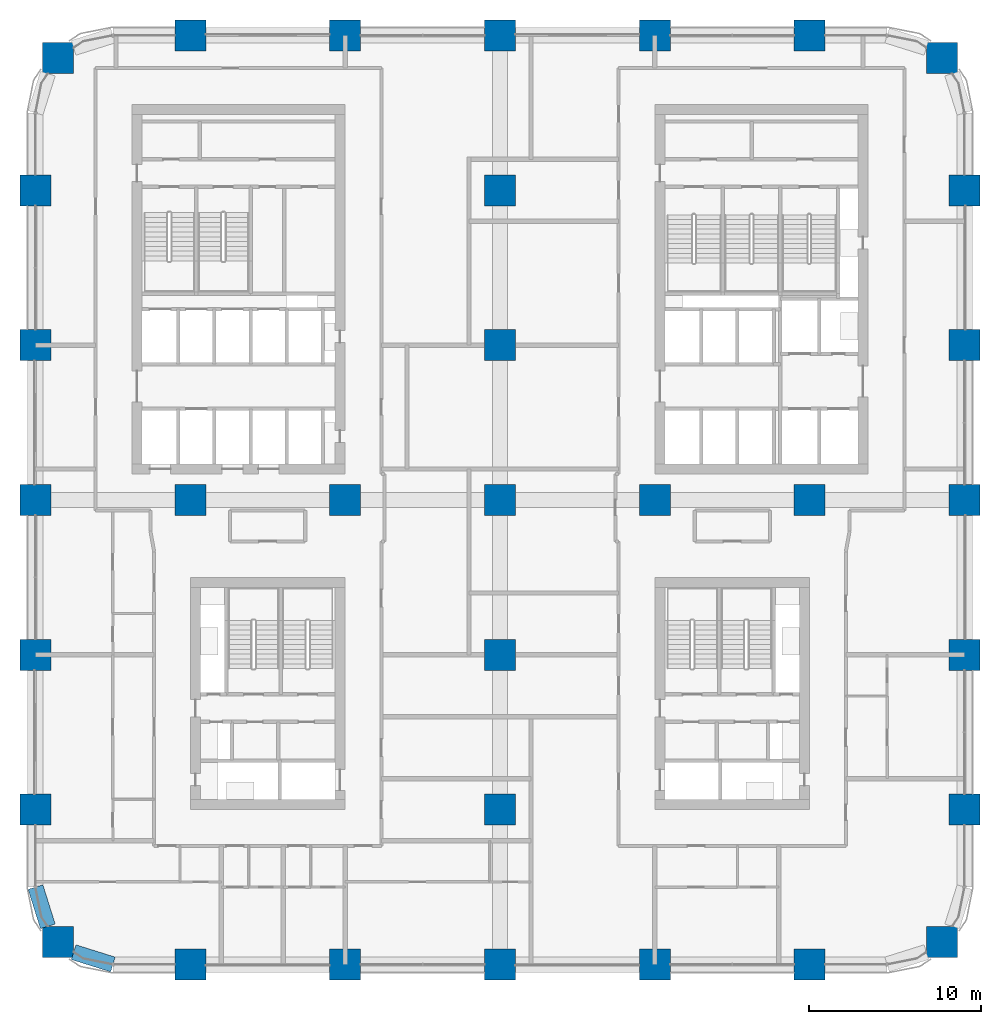
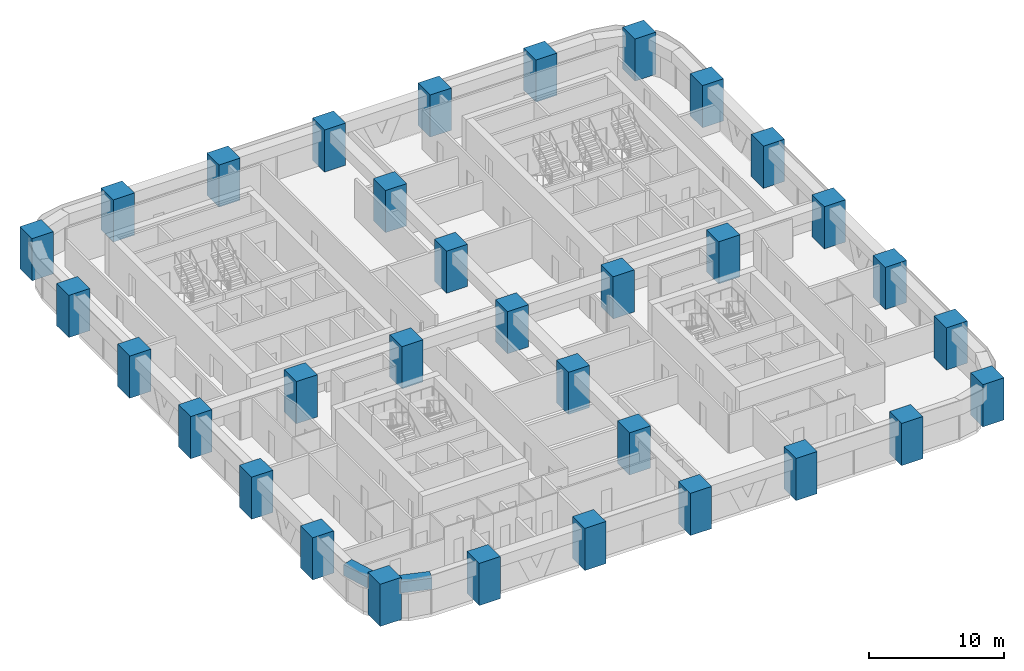
# One storey, part 1 of 21: 33 columns, 2 beams.
"""IFC4 building model written with IfcOpenShell, lengths in metres."""

from ifc_helpers import new_model, si_unit, direction, frame, origin, origin_2d, place, context, subcontext, project, spatial, rectangle, extrude, material, material_profile, profile_set, type_object, element, save


model = new_model("IFC4")

# Units and contexts
model_context = context("Model", 3, precision=1e-05, world=origin(), true_north=direction((0.0, 1.0)))
body_context = subcontext(model_context, "Body", "Model", "MODEL_VIEW")
ifc_project = project(units=[si_unit("LENGTHUNIT", "METRE"), si_unit("AREAUNIT", "SQUARE_METRE"), si_unit("VOLUMEUNIT", "CUBIC_METRE"), si_unit("PLANEANGLEUNIT", "RADIAN"), si_unit("MASSUNIT", "GRAM", prefix="KILO")], contexts=[model_context])

# Site, building, storey
site_placement = place(None, origin())
site = spatial("IfcSite", under=ifc_project, at=site_placement, CompositionType="ELEMENT")
building_placement = place(site_placement, origin())
building = spatial("IfcBuilding", under=site, at=building_placement, Name="Tessera Arch", CompositionType="ELEMENT")
storey_placement = place(building_placement, frame((0.0, 0.0, 69.0)))
storey = spatial("IfcBuildingStorey", under=building, at=storey_placement, Name="L15", CompositionType="ELEMENT", Elevation=69.0)

# Columns
ifc_material_1 = material(Name="Concrete C80/95", Category="concrete")
ifc_material_profile_1 = material_profile(ifc_material_1, rectangle(XDim=1.800048828125, YDim=1.800048828125, at=origin_2d()), Name="RC column 1800 x 1800 Concrete C80/95")
ifc_profile_set_1 = profile_set([ifc_material_profile_1], Name="Concrete C80/95")
column_type = type_object("IfcColumnType", Name="RC column 1800 x 1800 Concrete C80/95", PredefinedType="COLUMN", material=ifc_profile_set_1)
for number, where, z_axis, x_axis, name in (
    (1, (1.318115234375, 1.318115234375, 0.0), (0.0, 0.0, 1.0), (1.0, 0.0, 0.0), "Column C1A L15"),
    (2, (0.0, 9.0, 0.0), (0.0, 0.0, 1.0), (1.0, 0.0, 0.0), "Column C1B L15"),
    (3, (0.0, 18.0, 0.0), (0.0, 0.0, 1.0), (1.0, 0.0, 0.0), "Column C1C L15"),
    (4, (0.0, 27.0, 0.0), (0.0, 0.0, 1.0), (1.0, 0.0, 0.0), "Column C1D L15"),
    (5, (0.0, 36.0, 0.0), (0.0, 0.0, 1.0), (1.0, 0.0, 0.0), "Column C1E L15"),
    (6, (0.0, 45.0, 0.0), (0.0, 0.0, 1.0), (1.0, 0.0, 0.0), "Column C1F L15"),
    (7, (1.318115234375, 52.681884765625, 0.0), (0.0, 0.0, 1.0), (1.0, 0.0, 0.0), "Column C1G L15"),
    (8, (9.0, 0.0, 0.0), (0.0, 0.0, 1.0), (1.0, 0.0, 0.0), "Column C2A L15"),
    (9, (9.0, 27.0, 0.0), (0.0, 0.0, 1.0), (1.0, 0.0, 0.0), "Column C2D L15"),
    (10, (9.0, 54.0, 0.0), (0.0, 0.0, 1.0), (1.0, 0.0, 0.0), "Column C2G L15"),
    (11, (18.0, 0.0, 0.0), (0.0, 0.0, 1.0), (1.0, 0.0, 0.0), "Column C3A L15"),
    (12, (18.0, 27.0, 0.0), (0.0, 0.0, 1.0), (1.0, 0.0, 0.0), "Column C3D L15"),
    (13, (18.0, 54.0, 0.0), (0.0, 0.0, 1.0), (1.0, 0.0, 0.0), "Column C3G L15"),
    (14, (27.0, 0.0, 0.0), (0.0, 0.0, 1.0), (1.0, 0.0, 0.0), "Column C4A L15"),
    (15, (27.0, 9.0, 0.0), (0.0, 0.0, 1.0), (1.0, 0.0, 0.0), "Column C4B L15"),
    (16, (27.0, 18.0, 0.0), (0.0, 0.0, 1.0), (1.0, 0.0, 0.0), "Column C4C L15"),
    (17, (27.0, 27.0, 0.0), (0.0, 0.0, 1.0), (1.0, 0.0, 0.0), "Column C4D L15"),
    (18, (27.0, 36.0, 0.0), (0.0, 0.0, 1.0), (1.0, 0.0, 0.0), "Column C4E L15"),
    (19, (27.0, 45.0, 0.0), (0.0, 0.0, 1.0), (1.0, 0.0, 0.0), "Column C4F L15"),
    (20, (27.0, 54.0, 0.0), (0.0, 0.0, 1.0), (1.0, 0.0, 0.0), "Column C4G L15"),
    (21, (36.0, 0.0, 0.0), (0.0, 0.0, 1.0), (1.0, 0.0, 0.0), "Column C5A L15"),
    (22, (36.0, 27.0, 0.0), (0.0, 0.0, 1.0), (1.0, 0.0, 0.0), "Column C5D L15"),
    (23, (36.0, 54.0, 0.0), (0.0, 0.0, 1.0), (1.0, 0.0, 0.0), "Column C5G L15"),
    (24, (45.0, 0.0, 0.0), (0.0, 0.0, 1.0), (1.0, 0.0, 0.0), "Column C6A L15"),
    (25, (45.0, 27.0, 0.0), (0.0, 0.0, 1.0), (1.0, 0.0, 0.0), "Column C6D L15"),
    (26, (45.0, 54.0, 0.0), (0.0, 0.0, 1.0), (1.0, 0.0, 0.0), "Column C6G L15"),
    (27, (52.681884765625, 1.318115234375, 0.0), (0.0, 0.0, 1.0), (1.0, 0.0, 0.0), "Column C7A L15"),
    (28, (54.0, 9.0, 0.0), (0.0, 0.0, 1.0), (1.0, 0.0, 0.0), "Column C7B L15"),
    (29, (54.0, 18.0, 0.0), (0.0, 0.0, 1.0), (1.0, 0.0, 0.0), "Column C7C L15"),
    (30, (54.0, 27.0, 0.0), (0.0, 0.0, 1.0), (1.0, 0.0, 0.0), "Column C7D L15"),
    (31, (54.0, 36.0, 0.0), (0.0, 0.0, 1.0), (1.0, 0.0, 0.0), "Column C7E L15"),
    (32, (54.0, 45.0, 0.0), (0.0, 0.0, 1.0), (1.0, 0.0, 0.0), "Column C7F L15"),
    (33, (52.681884765625, 52.681884765625, 0.0), (0.0, 0.0, 1.0), (1.0, 0.0, 0.0), "Column C7G L15"),
):
    element("IfcColumn", number, at=place(storey_placement, frame(where, z_axis=z_axis, x_axis=x_axis)), inside=storey, type_object=column_type, Name=name, PredefinedType="COLUMN", context=body_context, shape_type="SweptSolid", body=[
        extrude(rectangle(XDim=1.800048828125, YDim=1.800048828125, at=origin_2d()), origin(), (0.0, 0.0, 1.0), 3.800048828125),
    ])

# Beams
ifc_material_2 = material(Name="Concrete C80/95", Category="concrete")
ifc_material_profile_2 = material_profile(ifc_material_2, rectangle(XDim=0.89990234375, YDim=1.0, at=origin_2d()), Name="RC spandrel beam 900 x 1000 Concrete C80/95")
ifc_profile_set_2 = profile_set([ifc_material_profile_2], Name="Concrete C80/95")
beam_type = type_object("IfcBeamType", Name="RC spandrel beam 900 x 1000 Concrete C80/95", PredefinedType="BEAM", material=ifc_profile_set_2)
for number, where, z_axis, x_axis, name in (
    (34, (0.0, 4.5, 3.0), (0.299675309057, -0.954041251279, 0.0), (0.954041251279, 0.299675309057, 0.0), "Spandrel beam L15 W0.0/5.2"),
    (35, (2.218017578125, 0.716796875, 3.0), (0.954041251279, -0.299675309057, 0.0), (0.299675309057, 0.954041251279, 0.0), "Spandrel beam L15 S0.0/5.1"),
):
    element("IfcBeam", number, at=place(storey_placement, frame(where, z_axis=z_axis, x_axis=x_axis)), inside=storey, type_object=beam_type, Name=name, PredefinedType="BEAM", context=body_context, shape_type="SweptSolid", body=[
        extrude(rectangle(XDim=0.89990234375, YDim=1.0, at=origin_2d()), origin(), (0.0, 0.0, 1.0), 2.391845703125),
    ])

save(model, "model.ifc")
